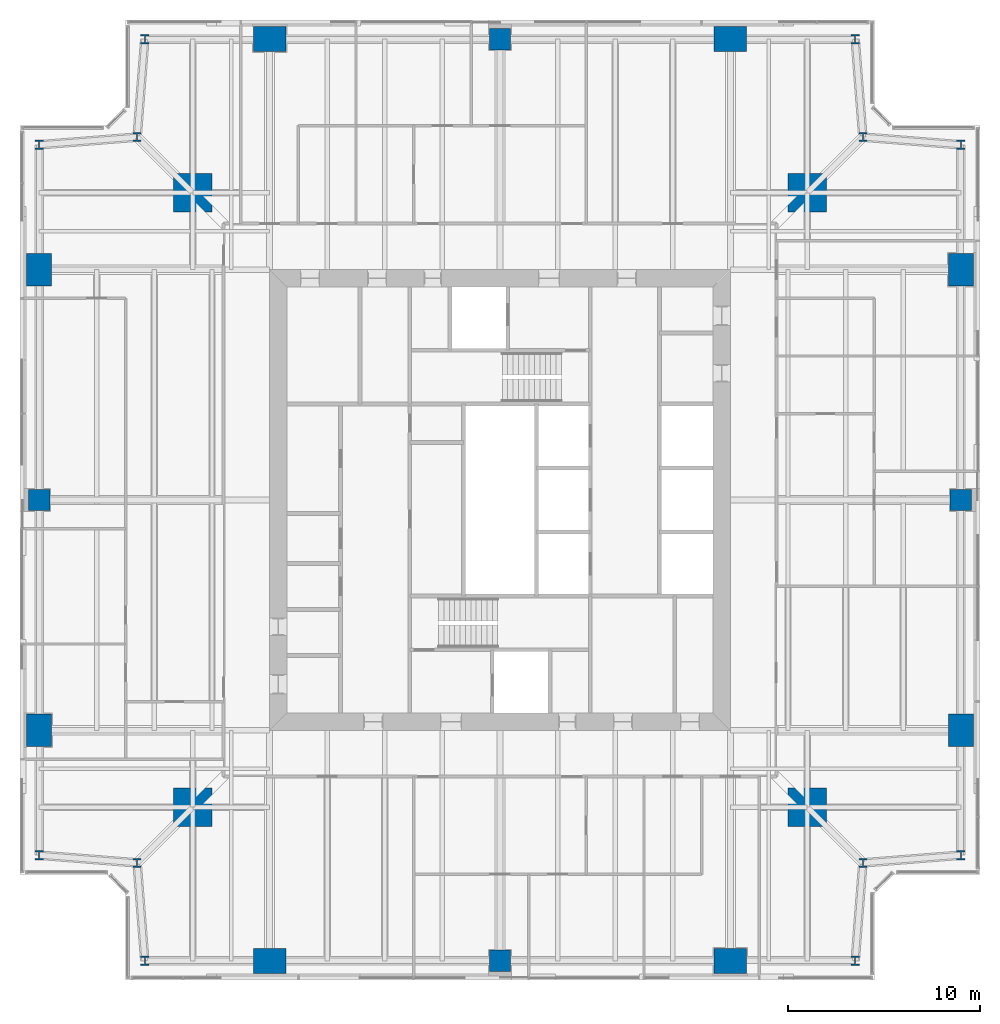
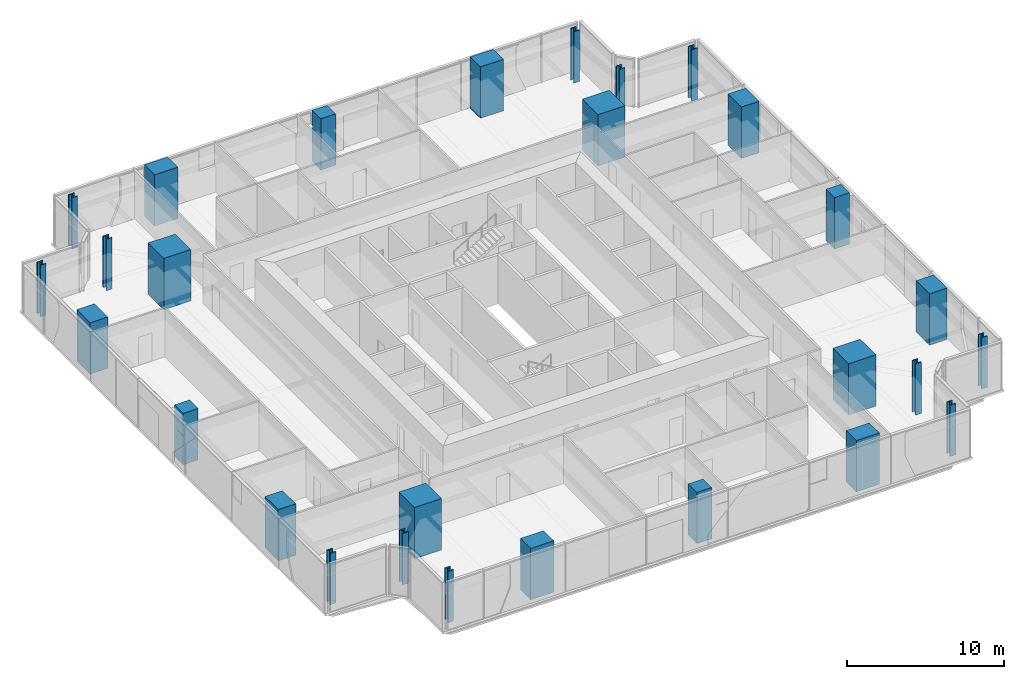
# One storey, part 1 of 15: 28 columns.
"""IFC4 building model written with IfcOpenShell, lengths in metres."""

from ifc_helpers import new_model, si_unit, direction, frame, origin, origin_2d, place, context, subcontext, project, spatial, rectangle, i_section, extrude, material, material_profile, profile_set, type_object, element, save


model = new_model("IFC4")

# Units and contexts
model_context = context("Model", 3, precision=1e-05, world=origin(), true_north=direction((0.0, 1.0)))
body_context = subcontext(model_context, "Body", "Model", "MODEL_VIEW")
ifc_project = project(units=[si_unit("LENGTHUNIT", "METRE"), si_unit("AREAUNIT", "SQUARE_METRE"), si_unit("VOLUMEUNIT", "CUBIC_METRE"), si_unit("PLANEANGLEUNIT", "RADIAN"), si_unit("MASSUNIT", "GRAM", prefix="KILO")], contexts=[model_context])

# Site, building, storey
site_placement = place(None, origin())
site = spatial("IfcSite", under=ifc_project, at=site_placement, CompositionType="ELEMENT")
building_placement = place(site_placement, origin())
building = spatial("IfcBuilding", under=site, at=building_placement, Name="Fenwick Lantern Interchange", CompositionType="ELEMENT")
storey_placement = place(building_placement, frame((0.0, 0.0, 229.800048828125)))
storey = spatial("IfcBuildingStorey", under=building, at=storey_placement, Name="L54", CompositionType="ELEMENT", Elevation=229.800048828125)

# Columns
ifc_material_1 = material(Name="Concrete f'c 70 MPa", Category="concrete")
ifc_material_profile_1 = material_profile(ifc_material_1, rectangle(XDim=2.0, YDim=2.0, at=origin_2d()), Name="RC2000X2000")
ifc_profile_set_1 = profile_set([ifc_material_profile_1], Name="Concrete f'c 70 MPa")
column_type_1 = type_object("IfcColumnType", Name="MEGA COLUMN RC2000X2000", PredefinedType="COLUMN", material=ifc_profile_set_1)
for number, where, z_axis, x_axis, name in (
    (1, (9.0, 9.0, 0.0), (0.0, 0.0, 1.0), (1.0, 0.0, 0.0), "L54/M1"),
    (2, (41.0, 9.0, 0.0), (0.0, 0.0, 1.0), (1.0, 0.0, 0.0), "L54/M2"),
    (3, (41.0, 41.0, 0.0), (0.0, 0.0, 1.0), (1.0, 0.0, 0.0), "L54/M3"),
    (4, (9.0, 41.0, 0.0), (0.0, 0.0, 1.0), (1.0, 0.0, 0.0), "L54/M4"),
):
    element("IfcColumn", number, at=place(storey_placement, frame(where, z_axis=z_axis, x_axis=x_axis)), inside=storey, type_object=column_type_1, Name=name, PredefinedType="COLUMN", context=body_context, shape_type="SweptSolid", body=[
        extrude(rectangle(XDim=2.0, YDim=2.0, at=origin_2d()), origin(), (0.0, 0.0, 1.0), 4.0),
    ])
ifc_material_profile_2 = material_profile(ifc_material_1, rectangle(XDim=1.10009765625, YDim=1.10009765625, at=origin_2d()), Name="RC1100X1100")
ifc_profile_set_2 = profile_set([ifc_material_profile_2], Name="Concrete f'c 70 MPa")
column_type_2 = type_object("IfcColumnType", Name="PERIMETER COLUMN RC1100X1100", PredefinedType="COLUMN", material=ifc_profile_set_2)
for number, where, z_axis, x_axis, name in (
    (5, (25.0, 1.0, 0.0), (0.0, 0.0, 1.0), (1.0, 0.0, 0.0), "L54/CS3"),
    (6, (49.0, 25.0, 0.0), (0.0, 0.0, 1.0), (1.0, 0.0, 0.0), "L54/CE3"),
    (7, (25.0, 49.0, 0.0), (0.0, 0.0, 1.0), (1.0, 0.0, 0.0), "L54/CN3"),
    (8, (1.0, 25.0, 0.0), (0.0, 0.0, 1.0), (1.0, 0.0, 0.0), "L54/CW3"),
):
    element("IfcColumn", number, at=place(storey_placement, frame(where, z_axis=z_axis, x_axis=x_axis)), inside=storey, type_object=column_type_2, Name=name, PredefinedType="COLUMN", context=body_context, shape_type="SweptSolid", body=[
        extrude(rectangle(XDim=1.10009765625, YDim=1.10009765625, at=origin_2d()), origin(), (0.0, 0.0, 1.0), 4.0),
    ])
ifc_material_profile_3 = material_profile(ifc_material_1, rectangle(XDim=1.300048828125, YDim=1.699951171875, at=origin_2d()), Name="RC1300X1700")
ifc_profile_set_3 = profile_set([ifc_material_profile_3], Name="Concrete f'c 70 MPa")
column_type_3 = type_object("IfcColumnType", Name="PERIMETER COLUMN RC1300X1700", PredefinedType="COLUMN", material=ifc_profile_set_3)
for number, where, z_axis, x_axis, name in (
    (9, (49.0, 13.0, 0.0), (0.0, 0.0, 1.0), (1.0, 0.0, 0.0), "L54/CE2"),
    (10, (49.0, 37.0, 0.0), (0.0, 0.0, 1.0), (1.0, 0.0, 0.0), "L54/CE4"),
    (11, (1.0, 37.0, 0.0), (0.0, 0.0, 1.0), (1.0, 0.0, 0.0), "L54/CW2"),
    (12, (1.0, 13.0, 0.0), (0.0, 0.0, 1.0), (1.0, 0.0, 0.0), "L54/CW4"),
):
    element("IfcColumn", number, at=place(storey_placement, frame(where, z_axis=z_axis, x_axis=x_axis)), inside=storey, type_object=column_type_3, Name=name, PredefinedType="COLUMN", context=body_context, shape_type="SweptSolid", body=[
        extrude(rectangle(XDim=1.300048828125, YDim=1.699951171875, at=origin_2d()), origin(), (0.0, 0.0, 1.0), 4.0),
    ])
ifc_material_profile_4 = material_profile(ifc_material_1, rectangle(XDim=1.699951171875, YDim=1.300048828125, at=origin_2d()), Name="RC1700X1300")
ifc_profile_set_4 = profile_set([ifc_material_profile_4], Name="Concrete f'c 70 MPa")
column_type_4 = type_object("IfcColumnType", Name="PERIMETER COLUMN RC1700X1300", PredefinedType="COLUMN", material=ifc_profile_set_4)
for number, where, z_axis, x_axis, name in (
    (13, (13.0, 1.0, 0.0), (0.0, 0.0, 1.0), (1.0, 0.0, 0.0), "L54/CS2"),
    (14, (37.0, 1.0, 0.0), (0.0, 0.0, 1.0), (1.0, 0.0, 0.0), "L54/CS4"),
    (15, (37.0, 49.0, 0.0), (0.0, 0.0, 1.0), (1.0, 0.0, 0.0), "L54/CN2"),
    (16, (13.0, 49.0, 0.0), (0.0, 0.0, 1.0), (1.0, 0.0, 0.0), "L54/CN4"),
):
    element("IfcColumn", number, at=place(storey_placement, frame(where, z_axis=z_axis, x_axis=x_axis)), inside=storey, type_object=column_type_4, Name=name, PredefinedType="COLUMN", context=body_context, shape_type="SweptSolid", body=[
        extrude(rectangle(XDim=1.699951171875, YDim=1.300048828125, at=origin_2d()), origin(), (0.0, 0.0, 1.0), 4.0),
    ])
ifc_material_2 = material(Name="Steel ASTM A992 Grade 50", Category="steel")
ifc_material_profile_5 = material_profile(ifc_material_2, i_section(OverallWidth=0.424072265625, OverallDepth=0.47509765625, WebThickness=0.0478515625, FlangeThickness=0.0771484375, at=origin_2d()), Name="W14X426")
ifc_profile_set_5 = profile_set([ifc_material_profile_5], Name="Steel ASTM A992 Grade 50")
column_type_5 = type_object("IfcColumnType", Name="PERIMETER COLUMN W14X426", PredefinedType="COLUMN", material=ifc_profile_set_5)
for number, where, z_axis, x_axis, name in (
    (17, (6.5, 1.0, 0.0), (0.0, 0.0, 1.0), (1.0, 0.0, 0.0), "L54/CS1"),
    (18, (43.5, 1.0, 0.0), (0.0, 0.0, 1.0), (1.0, 0.0, 0.0), "L54/CS5"),
    (19, (43.89990234375, 6.10009765625, 0.0), (0.0, 0.0, 1.0), (1.0, 0.0, 0.0), "L54/CSR"),
    (20, (49.0, 6.5, 0.0), (0.0, 0.0, 1.0), (1.0, 0.0, 0.0), "L54/CE1"),
    (21, (49.0, 43.5, 0.0), (0.0, 0.0, 1.0), (1.0, 0.0, 0.0), "L54/CE5"),
    (22, (43.89990234375, 43.89990234375, 0.0), (0.0, 0.0, 1.0), (1.0, 0.0, 0.0), "L54/CER"),
    (23, (43.5, 49.0, 0.0), (0.0, 0.0, 1.0), (1.0, 0.0, 0.0), "L54/CN1"),
    (24, (6.5, 49.0, 0.0), (0.0, 0.0, 1.0), (1.0, 0.0, 0.0), "L54/CN5"),
    (25, (6.10009765625, 43.89990234375, 0.0), (0.0, 0.0, 1.0), (1.0, 0.0, 0.0), "L54/CNR"),
    (26, (1.0, 43.5, 0.0), (0.0, 0.0, 1.0), (1.0, 0.0, 0.0), "L54/CW1"),
    (27, (1.0, 6.5, 0.0), (0.0, 0.0, 1.0), (1.0, 0.0, 0.0), "L54/CW5"),
    (28, (6.10009765625, 6.10009765625, 0.0), (0.0, 0.0, 1.0), (1.0, 0.0, 0.0), "L54/CWR"),
):
    element("IfcColumn", number, at=place(storey_placement, frame(where, z_axis=z_axis, x_axis=x_axis)), inside=storey, type_object=column_type_5, Name=name, PredefinedType="COLUMN", context=body_context, shape_type="SweptSolid", body=[
        extrude(i_section(OverallWidth=0.424072265625, OverallDepth=0.47509765625, WebThickness=0.0478515625, FlangeThickness=0.0771484375, at=origin_2d()), origin(), (0.0, 0.0, 1.0), 4.0),
    ])

save(model, "model.ifc")
